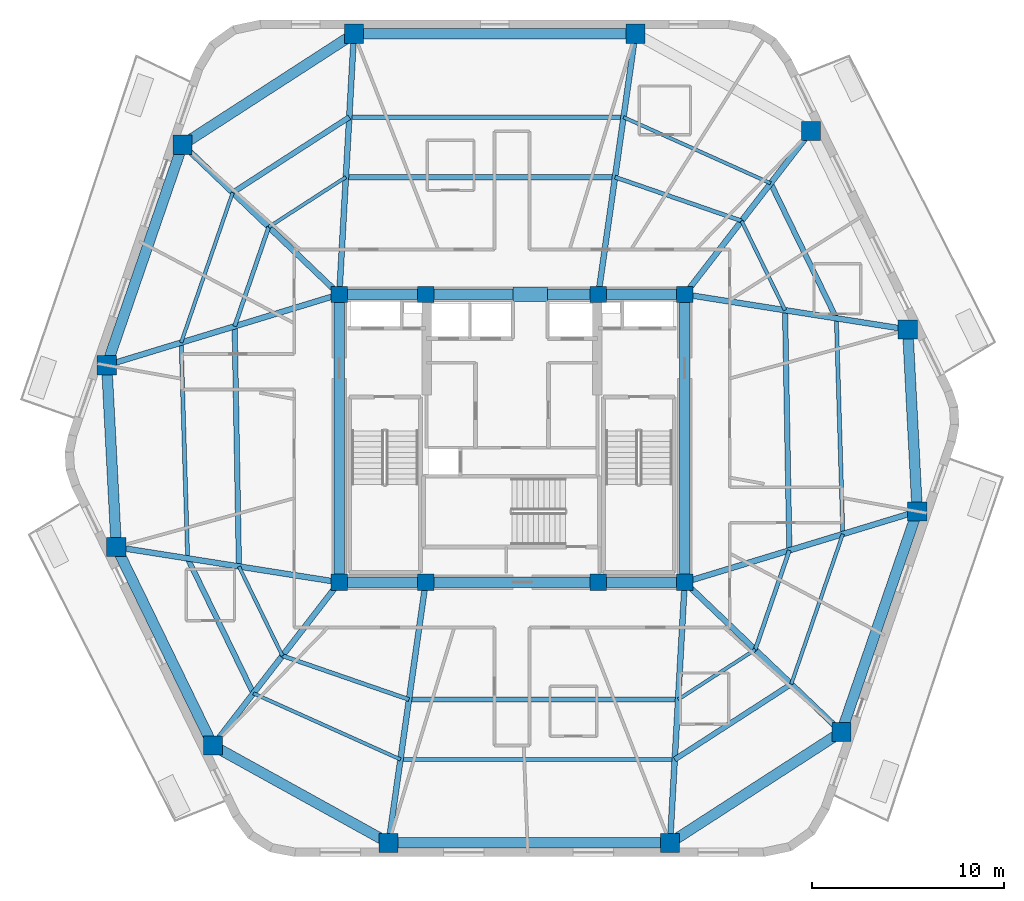
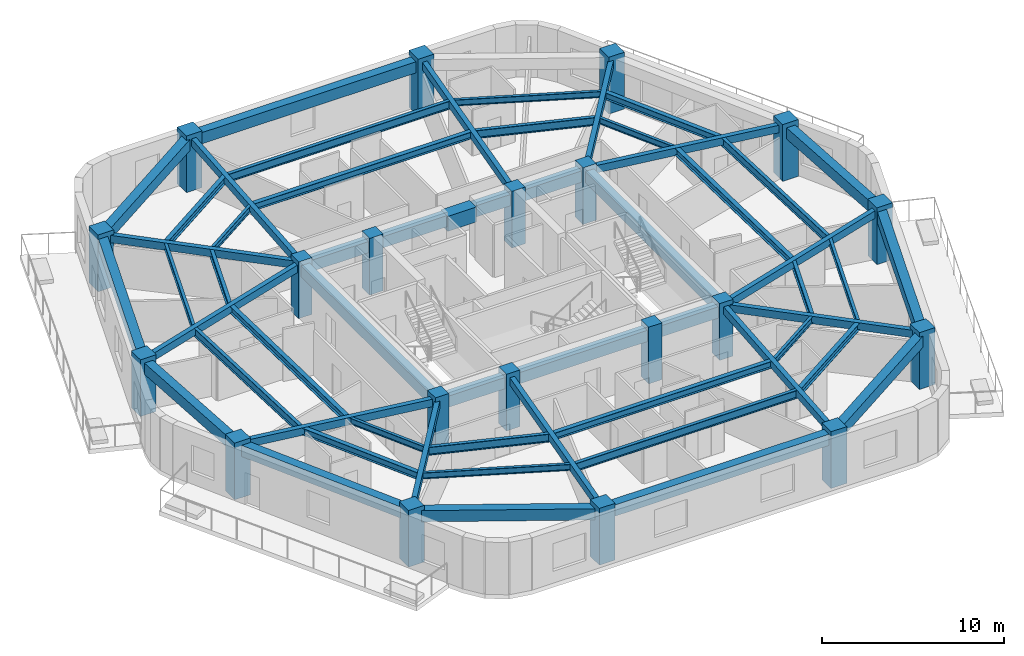
# One storey, part 1 of 9: 55 beams, 20 columns.
"""IFC4 building model written with IfcOpenShell, lengths in metres."""

import ifcopenshell
import ifcopenshell.guid

model = None  # the IFC model being written
_history = None  # IfcOwnerHistory: only IFC2X3 demands one
_inside = {}  # id of a spatial element -> (the spatial element, [elements in it])
_under = {}  # id of a project, library or spatial element -> (it, [spatial elements below it])
_declared = {}  # id of a project -> (the project, [libraries it declares])
_typed = {}  # id of a type object -> (the type object, [elements of that type])
_made_of = {}  # id of a material, layer set ... -> (it, [elements and type objects made of it])


def new_model(schema):
    """Start an empty IFC model of exactly this schema.

    Asked for "IFC4X3", IfcOpenShell would pick the latest addendum, in which some entities
    have other attributes; the version numbers below select the first issue.
    IFC2X3 requires an IfcOwnerHistory on every rooted entity: one is made here for all.
    """
    global model, _history
    if schema == "IFC4X3":
        model = ifcopenshell.file(schema_version=(4, 3, 0, 0))
    else:
        model = ifcopenshell.file(schema=schema)
    _inside.clear()
    _under.clear()
    _declared.clear()
    _typed.clear()
    _made_of.clear()
    _history = None
    if model.schema == "IFC2X3":
        org = make("IfcOrganization", Name="unknown")
        user = make(
            "IfcPersonAndOrganization",
            ThePerson=make("IfcPerson", FamilyName="unknown"),
            TheOrganization=org,
        )
        app = make(
            "IfcApplication",
            ApplicationDeveloper=org,
            Version="unknown",
            ApplicationFullName="unknown",
            ApplicationIdentifier="unknown",
        )
        _history = make(
            "IfcOwnerHistory",
            OwningUser=user,
            OwningApplication=app,
            ChangeAction="ADDED",
            CreationDate=0,
        )
    return model


def make(cls, **values):
    """One entity of the class cls with the attributes given. An attribute that is None is left unset."""
    return model.create_entity(
        cls, **{name: value for name, value in values.items() if value is not None}
    )


def rooted(cls, **values):
    """An entity with a GlobalId (a new one), such as an element, a storey or a relation."""
    return make(cls, GlobalId=ifcopenshell.guid.new(), OwnerHistory=_history, **values)


def si_unit(unit_type, name, prefix=None):
    """IfcSIUnit, for example si_unit("LENGTHUNIT", "METRE", prefix="MILLI")."""
    return make("IfcSIUnit", UnitType=unit_type, Prefix=prefix, Name=name)


def assignment(units):
    """IfcUnitAssignment: the units of a project."""
    return None if units is None else make("IfcUnitAssignment", Units=units)


def point(xyz):
    """IfcCartesianPoint."""
    return None if xyz is None else make("IfcCartesianPoint", Coordinates=xyz)


def direction(xyz):
    """IfcDirection."""
    return None if xyz is None else make("IfcDirection", DirectionRatios=xyz)


def frame(location, z_axis=None, x_axis=None):
    """IfcAxis2Placement3D, a coordinate frame: its origin and axes. An axis left out is left unset."""
    return make(
        "IfcAxis2Placement3D",
        Location=point(location),
        Axis=direction(z_axis),
        RefDirection=direction(x_axis),
    )


def frame_2d(location, x_axis=None):
    """IfcAxis2Placement2D, a coordinate frame in the plane: its origin and x axis."""
    return make(
        "IfcAxis2Placement2D", Location=point(location), RefDirection=direction(x_axis)
    )


def origin():
    """The frame at (0, 0, 0) with its axes left unset."""
    return frame((0.0, 0.0, 0.0))


def origin_2d():
    """The frame at (0, 0) in the plane with its x axis left unset."""
    return frame_2d((0.0, 0.0))


def place(relative_to, where):
    """IfcLocalPlacement: puts the frame where relative to a parent placement (None: the world)."""
    return make(
        "IfcLocalPlacement", PlacementRelTo=relative_to, RelativePlacement=where
    )


def context(
    kind, dimensions, precision=None, world=None, true_north=None, identifier=None
):
    """IfcGeometricRepresentationContext, for example the 3D "Model" context."""
    return make(
        "IfcGeometricRepresentationContext",
        ContextIdentifier=identifier,
        ContextType=kind,
        CoordinateSpaceDimension=dimensions,
        Precision=precision,
        WorldCoordinateSystem=world,
        TrueNorth=true_north,
    )


def subcontext(parent, identifier, kind, view, scale=None):
    """IfcGeometricRepresentationSubContext, for example "Body" below "Model"."""
    return make(
        "IfcGeometricRepresentationSubContext",
        ContextIdentifier=identifier,
        ContextType=kind,
        ParentContext=parent,
        TargetScale=scale,
        TargetView=view,
    )


def project(units=None, contexts=None):
    """IfcProject with its units and contexts."""
    return rooted(
        "IfcProject",
        Name="project",
        RepresentationContexts=contexts,
        UnitsInContext=assignment(units),
    )


def spatial(cls, under=None, at=None, **own):
    """A site, building, storey or space (cls), placed at a placement, below another one or the project."""
    s = rooted(cls, ObjectPlacement=at, **own)
    if under is not None:
        _under.setdefault(under.id(), (under, []))[1].append(s)
    return s


def profile(cls, at=None, kind="AREA", **sizes):
    """A parametric profile (cls). Its sizes go by their IFC names, for example OverallWidth=200.0."""
    return make(cls, ProfileType=kind, Position=at, **sizes)


def rectangle(**sizes):
    """IfcRectangleProfileDef."""
    return profile("IfcRectangleProfileDef", **sizes)


def i_section(**sizes):
    """IfcIShapeProfileDef."""
    return profile("IfcIShapeProfileDef", **sizes)


def extrude(swept, where, along, depth):
    """IfcExtrudedAreaSolid: the profile swept, set in the frame where, extruded along a direction by depth."""
    return make(
        "IfcExtrudedAreaSolid",
        SweptArea=swept,
        Position=where,
        ExtrudedDirection=direction(along),
        Depth=depth,
    )


def shape(context_of_items, identifier, shape_type, items):
    """IfcShapeRepresentation: the items that make up one representation, for example the "Body"."""
    return make(
        "IfcShapeRepresentation",
        ContextOfItems=context_of_items,
        RepresentationIdentifier=identifier,
        RepresentationType=shape_type,
        Items=items,
    )


def material(Name=None, Category=None):
    """IfcMaterial."""
    return make("IfcMaterial", Name=Name, Category=Category)


def material_profile(
    of_material, cross_section, Name=None, Category=None, Priority=None
):
    """IfcMaterialProfile: a cross section and its material."""
    return make(
        "IfcMaterialProfile",
        Name=Name,
        Material=of_material,
        Profile=cross_section,
        Priority=Priority,
        Category=Category,
    )


def profile_set(profiles, Name=None, composite=None):
    """IfcMaterialProfileSet."""
    return make(
        "IfcMaterialProfileSet",
        Name=Name,
        MaterialProfiles=profiles,
        CompositeProfile=composite,
    )


def made_of(thing, what):
    """Note that an element or type object is made of a material, layer set ...; save() writes the relation."""
    if what is not None:
        _made_of.setdefault(what.id(), (what, []))[1].append(thing)
    return thing


def type_object(cls, material=None, **own):
    """A type object (cls), such as IfcWallType, which elements share."""
    return made_of(rooted(cls, **own), material)


def element(
    cls,
    number,
    at=None,
    inside=None,
    cuts=None,
    type_object=None,
    material=None,
    context=None,
    identifier="Body",
    shape_type=None,
    held_by="IfcProductDefinitionShape",
    body=None,
    shapes=None,
    **own,
):
    """One element of the class cls, such as IfcWall. Its Tag is "e" and its number.

    at: its placement. inside: the storey or other place that contains it. cuts: it is an
    opening in that element (IfcRelVoidsElement). A single representation is given by context,
    identifier, shape_type and body (its items); several are given by shapes. held_by: the class
    of the entity that holds the representations. save() writes the other relations.
    """
    e = rooted(cls, Tag="e%d" % number, ObjectPlacement=at, **own)
    if body is not None:
        shapes = [shape(context, identifier, shape_type, body)]
    if shapes is not None:
        e.Representation = make(held_by, Representations=shapes)
    if inside is not None:
        _inside.setdefault(inside.id(), (inside, []))[1].append(e)
    if cuts is not None:
        rooted(
            "IfcRelVoidsElement", RelatingBuildingElement=cuts, RelatedOpeningElement=e
        )
    if type_object is not None:
        _typed.setdefault(type_object.id(), (type_object, []))[1].append(e)
    return made_of(e, material)


def aggregate(whole, parts):
    """IfcRelAggregates: a whole, such as a stair, and the parts it consists of."""
    return rooted("IfcRelAggregates", RelatingObject=whole, RelatedObjects=parts)


def save(model, path):
    """Write the relations noted so far, then the file.

    IfcRelAggregates (storeys below a building ...), IfcRelContainedInSpatialStructure (elements
    in a storey), IfcRelDefinesByType, IfcRelAssociatesMaterial and IfcRelDeclares: one each for
    every whole, place, type object, material and project.
    """
    for whole, parts in _under.values():
        aggregate(whole, parts)
    for where, things in _inside.values():
        rooted(
            "IfcRelContainedInSpatialStructure",
            RelatedElements=things,
            RelatingStructure=where,
        )
    for kind, things in _typed.values():
        rooted("IfcRelDefinesByType", RelatedObjects=things, RelatingType=kind)
    for what, things in _made_of.values():
        rooted("IfcRelAssociatesMaterial", RelatedObjects=things, RelatingMaterial=what)
    for by, libraries in _declared.values():
        rooted("IfcRelDeclares", RelatingContext=by, RelatedDefinitions=libraries)
    model.write(path)


model = new_model("IFC4")

# Units and contexts
model_context = context("Model", 3, precision=1e-05, world=origin(), true_north=direction((0.0, 1.0)))
body_context = subcontext(model_context, "Body", "Model", "MODEL_VIEW")
ifc_project = project(units=[si_unit("LENGTHUNIT", "METRE"), si_unit("AREAUNIT", "SQUARE_METRE"), si_unit("VOLUMEUNIT", "CUBIC_METRE"), si_unit("PLANEANGLEUNIT", "RADIAN"), si_unit("MASSUNIT", "GRAM", prefix="KILO")], contexts=[model_context])

# Site, building, storey
site_placement = place(None, origin())
site = spatial("IfcSite", under=ifc_project, at=site_placement, CompositionType="ELEMENT")
building_placement = place(site_placement, origin())
building = spatial("IfcBuilding", under=site, at=building_placement, Name="Kilnhurst Terrace Hotel", CompositionType="ELEMENT")
storey_placement = place(building_placement, frame((0.0, 0.0, 233.10009765625)))
storey = spatial("IfcBuildingStorey", under=building, at=storey_placement, Name="L58", CompositionType="ELEMENT", Elevation=233.10009765625)

# Columns
ifc_material_1 = material(Name="Concrete C60/75", Category="concrete")
ifc_material_profile_1 = material_profile(ifc_material_1, rectangle(XDim=1.0, YDim=1.0, at=origin_2d()), Name="RC1000X1000")
ifc_profile_set_1 = profile_set([ifc_material_profile_1], Name="Concrete C60/75")
column_type_1 = type_object("IfcColumnType", Name="COL-RC-1000", PredefinedType="COLUMN", material=ifc_profile_set_1)
for number, where, z_axis, x_axis, name in (
    (1, (-6.429931640625, -21.080078125, 0.0), (0.0, 0.0, 1.0), (1.0, 0.0, 0.0), "L58 Structural Column PC-F11"),
    (2, (8.236083984375, -21.080078125, 0.0), (0.0, 0.0, 1.0), (1.0, 0.0, 0.0), "L58 Structural Column PC-F12"),
    (3, (17.166015625, -15.303955078125, 0.0), (0.0, 0.0, 1.0), (1.0, 0.0, 0.0), "L58 Structural Column PC-F21"),
    (4, (21.117919921875, -3.806884765625, 0.0), (0.0, 0.0, 1.0), (1.0, 0.0, 0.0), "L58 Structural Column PC-F22"),
    (5, (20.6220703125, 5.669921875, 0.0), (0.0, 0.0, 1.0), (1.0, 0.0, 0.0), "L58 Structural Column PC-F31"),
    (6, (15.5869140625, 16.012939453125, 0.0), (0.0, 0.0, 1.0), (1.0, 0.0, 0.0), "L58 Structural Column PC-F32"),
    (7, (6.429931640625, 21.080078125, 0.0), (0.0, 0.0, 1.0), (1.0, 0.0, 0.0), "L58 Structural Column PC-F41"),
    (8, (-8.236083984375, 21.080078125, 0.0), (0.0, 0.0, 1.0), (1.0, 0.0, 0.0), "L58 Structural Column PC-F42"),
    (9, (-17.166015625, 15.303955078125, 0.0), (0.0, 0.0, 1.0), (1.0, 0.0, 0.0), "L58 Structural Column PC-F51"),
    (10, (-21.117919921875, 3.806884765625, 0.0), (0.0, 0.0, 1.0), (1.0, 0.0, 0.0), "L58 Structural Column PC-F52"),
    (11, (-20.6220703125, -5.669921875, 0.0), (0.0, 0.0, 1.0), (1.0, 0.0, 0.0), "L58 Structural Column PC-F61"),
    (12, (-15.5869140625, -16.012939453125, 0.0), (0.0, 0.0, 1.0), (1.0, 0.0, 0.0), "L58 Structural Column PC-F62"),
):
    element("IfcColumn", number, at=place(storey_placement, frame(where, z_axis=z_axis, x_axis=x_axis)), inside=storey, type_object=column_type_1, Name=name, PredefinedType="COLUMN", context=body_context, shape_type="SweptSolid", body=[
        extrude(rectangle(XDim=1.0, YDim=1.0, at=origin_2d()), origin(), (0.0, 0.0, 1.0), 3.7998046875),
    ])
ifc_material_profile_2 = material_profile(ifc_material_1, rectangle(XDim=0.85009765625, YDim=0.85009765625, at=origin_2d()), Name="RC850X850")
ifc_profile_set_2 = profile_set([ifc_material_profile_2], Name="Concrete C60/75")
column_type_2 = type_object("IfcColumnType", Name="COL-RC-850", PredefinedType="COLUMN", material=ifc_profile_set_2)
for number, where, z_axis, x_axis, name in (
    (13, (-9.0, -7.5, 0.0), (0.0, 0.0, 1.0), (1.0, 0.0, 0.0), "L58 Structural Column CC-SW"),
    (14, (-4.5, -7.5, 0.0), (0.0, 0.0, 1.0), (1.0, 0.0, 0.0), "L58 Structural Column CC-SC1"),
    (15, (4.5, -7.5, 0.0), (0.0, 0.0, 1.0), (1.0, 0.0, 0.0), "L58 Structural Column CC-SC2"),
    (16, (9.0, -7.5, 0.0), (0.0, 0.0, 1.0), (1.0, 0.0, 0.0), "L58 Structural Column CC-SE"),
    (17, (9.0, 7.5, 0.0), (0.0, 0.0, 1.0), (1.0, 0.0, 0.0), "L58 Structural Column CC-NE"),
    (18, (4.5, 7.5, 0.0), (0.0, 0.0, 1.0), (1.0, 0.0, 0.0), "L58 Structural Column CC-NC2"),
    (19, (-4.5, 7.5, 0.0), (0.0, 0.0, 1.0), (1.0, 0.0, 0.0), "L58 Structural Column CC-NC1"),
    (20, (-9.0, 7.5, 0.0), (0.0, 0.0, 1.0), (1.0, 0.0, 0.0), "L58 Structural Column CC-NW"),
):
    element("IfcColumn", number, at=place(storey_placement, frame(where, z_axis=z_axis, x_axis=x_axis)), inside=storey, type_object=column_type_2, Name=name, PredefinedType="COLUMN", context=body_context, shape_type="SweptSolid", body=[
        extrude(rectangle(XDim=0.85009765625, YDim=0.85009765625, at=origin_2d()), origin(), (0.0, 0.0, 1.0), 3.7998046875),
    ])

# Beams
ifc_material_2 = material(Name="Concrete C50/60", Category="concrete")
ifc_material_profile_3 = material_profile(ifc_material_2, rectangle(XDim=0.300048828125, YDim=0.5, at=origin_2d()), Name="RC300X500")
ifc_profile_set_3 = profile_set([ifc_material_profile_3], Name="Concrete C50/60")
beam_type_1 = type_object("IfcBeamType", Name="BM-RAD-300X500", PredefinedType="BEAM", material=ifc_profile_set_3)
beam_1_placement = place(storey_placement, frame((-4.5, -7.5, 3.25), z_axis=(-0.140701170889, -0.990052109997, 0.0), x_axis=(0.990052109997, -0.140701170889, 0.0)))
element("IfcBeam", 21, at=beam_1_placement, inside=storey, type_object=beam_type_1, Name="L58 Radial Floor Beam 1", PredefinedType="BEAM", context=body_context, shape_type="SweptSolid", body=[
    extrude(rectangle(XDim=0.300048828125, YDim=0.5, at=origin_2d()), origin(), (0.0, 0.0, 1.0), 13.716552734375),
])
beam_2_placement = place(storey_placement, frame((9.0, -7.5, 3.25), z_axis=(-0.056163905291, -0.998421562138, 0.0), x_axis=(0.998421562138, -0.056163905291, 0.0)))
element("IfcBeam", 22, at=beam_2_placement, inside=storey, type_object=beam_type_1, Name="L58 Radial Floor Beam 2", PredefinedType="BEAM", context=body_context, shape_type="SweptSolid", body=[
    extrude(rectangle(XDim=0.300048828125, YDim=0.5, at=origin_2d()), origin(), (0.0, 0.0, 1.0), 13.6015625),
])
beam_3_placement = place(storey_placement, frame((9.0, -7.5, 3.25), z_axis=(0.722952064528, -0.690898192497, 0.0), x_axis=(0.690898192497, 0.722952064528, 0.0)))
element("IfcBeam", 23, at=beam_3_placement, inside=storey, type_object=beam_type_1, Name="L58 Radial Floor Beam 3", PredefinedType="BEAM", context=body_context, shape_type="SweptSolid", body=[
    extrude(rectangle(XDim=0.300048828125, YDim=0.5, at=origin_2d()), origin(), (0.0, 0.0, 1.0), 11.29541015625),
])
beam_4_placement = place(storey_placement, frame((9.0, -7.5, 3.25), z_axis=(0.956562713724, 0.291526627793, 0.0), x_axis=(-0.291526627793, 0.956562713724, 0.0)))
element("IfcBeam", 24, at=beam_4_placement, inside=storey, type_object=beam_type_1, Name="L58 Radial Floor Beam 4", PredefinedType="BEAM", context=body_context, shape_type="SweptSolid", body=[
    extrude(rectangle(XDim=0.300048828125, YDim=0.5, at=origin_2d()), origin(), (0.0, 0.0, 1.0), 12.668212890625),
])
beam_5_placement = place(storey_placement, frame((9.0, 7.5, 3.25), z_axis=(0.987828160163, -0.155549111179, 0.0), x_axis=(0.155549111179, 0.987828160163, 0.0)))
element("IfcBeam", 25, at=beam_5_placement, inside=storey, type_object=beam_type_1, Name="L58 Radial Floor Beam 5", PredefinedType="BEAM", context=body_context, shape_type="SweptSolid", body=[
    extrude(rectangle(XDim=0.300048828125, YDim=0.5, at=origin_2d()), origin(), (0.0, 0.0, 1.0), 11.765380859375),
])
beam_6_placement = place(storey_placement, frame((9.0, 7.5, 3.25), z_axis=(0.611955412533, 0.790892263884, 0.0), x_axis=(-0.790892263884, 0.611955412533, 0.0)))
element("IfcBeam", 26, at=beam_6_placement, inside=storey, type_object=beam_type_1, Name="L58 Radial Floor Beam 6", PredefinedType="BEAM", context=body_context, shape_type="SweptSolid", body=[
    extrude(rectangle(XDim=0.300048828125, YDim=0.5, at=origin_2d()), origin(), (0.0, 0.0, 1.0), 10.763671875),
])
beam_7_placement = place(storey_placement, frame((4.5, 7.5, 3.25), z_axis=(0.140701170889, 0.990052109997, 0.0), x_axis=(-0.990052109997, 0.140701170889, 0.0)))
element("IfcBeam", 27, at=beam_7_placement, inside=storey, type_object=beam_type_1, Name="L58 Radial Floor Beam 7", PredefinedType="BEAM", context=body_context, shape_type="SweptSolid", body=[
    extrude(rectangle(XDim=0.300048828125, YDim=0.5, at=origin_2d()), origin(), (0.0, 0.0, 1.0), 13.716552734375),
])
beam_8_placement = place(storey_placement, frame((-9.0, 7.5, 3.25), z_axis=(0.056163905291, 0.998421562138, 0.0), x_axis=(-0.998421562138, 0.056163905291, 0.0)))
element("IfcBeam", 28, at=beam_8_placement, inside=storey, type_object=beam_type_1, Name="L58 Radial Floor Beam 8", PredefinedType="BEAM", context=body_context, shape_type="SweptSolid", body=[
    extrude(rectangle(XDim=0.300048828125, YDim=0.5, at=origin_2d()), origin(), (0.0, 0.0, 1.0), 13.6015625),
])
beam_9_placement = place(storey_placement, frame((-9.0, 7.5, 3.25), z_axis=(-0.722952064528, 0.690898192497, 0.0), x_axis=(-0.690898192497, -0.722952064528, 0.0)))
element("IfcBeam", 29, at=beam_9_placement, inside=storey, type_object=beam_type_1, Name="L58 Radial Floor Beam 9", PredefinedType="BEAM", context=body_context, shape_type="SweptSolid", body=[
    extrude(rectangle(XDim=0.300048828125, YDim=0.5, at=origin_2d()), origin(), (0.0, 0.0, 1.0), 11.29541015625),
])
beam_10_placement = place(storey_placement, frame((-9.0, 7.5, 3.25), z_axis=(-0.956562713724, -0.291526627793, 0.0), x_axis=(0.291526627793, -0.956562713724, 0.0)))
element("IfcBeam", 30, at=beam_10_placement, inside=storey, type_object=beam_type_1, Name="L58 Radial Floor Beam 10", PredefinedType="BEAM", context=body_context, shape_type="SweptSolid", body=[
    extrude(rectangle(XDim=0.300048828125, YDim=0.5, at=origin_2d()), origin(), (0.0, 0.0, 1.0), 12.668212890625),
])
beam_11_placement = place(storey_placement, frame((-9.0, -7.5, 3.25), z_axis=(-0.987828160163, 0.155549111179, 0.0), x_axis=(-0.155549111179, -0.987828160163, 0.0)))
element("IfcBeam", 31, at=beam_11_placement, inside=storey, type_object=beam_type_1, Name="L58 Radial Floor Beam 11", PredefinedType="BEAM", context=body_context, shape_type="SweptSolid", body=[
    extrude(rectangle(XDim=0.300048828125, YDim=0.5, at=origin_2d()), origin(), (0.0, 0.0, 1.0), 11.765380859375),
])
beam_12_placement = place(storey_placement, frame((-9.0, -7.5, 3.25), z_axis=(-0.611955412533, -0.790892263884, 0.0), x_axis=(0.790892263884, -0.611955412533, 0.0)))
element("IfcBeam", 32, at=beam_12_placement, inside=storey, type_object=beam_type_1, Name="L58 Radial Floor Beam 12", PredefinedType="BEAM", context=body_context, shape_type="SweptSolid", body=[
    extrude(rectangle(XDim=0.300048828125, YDim=0.5, at=origin_2d()), origin(), (0.0, 0.0, 1.0), 10.763671875),
])
ifc_material_profile_4 = material_profile(ifc_material_2, rectangle(XDim=0.550048828125, YDim=0.75, at=origin_2d()), Name="RC550X750")
ifc_profile_set_4 = profile_set([ifc_material_profile_4], Name="Concrete C50/60")
beam_type_2 = type_object("IfcBeamType", Name="BM-SPN-550X750", PredefinedType="SPANDREL", material=ifc_profile_set_4)
beam_13_placement = place(storey_placement, frame((-9.0, 7.5, 3.125), z_axis=(1.0, 0.0, 0.0), x_axis=(0.0, 1.0, 0.0)))
element("IfcBeam", 33, at=beam_13_placement, inside=storey, type_object=beam_type_2, Name="L58 Core Tie Beam CC-NW to CC-NC1", PredefinedType="SPANDREL", context=body_context, shape_type="SweptSolid", body=[
    extrude(rectangle(XDim=0.550048828125, YDim=0.75, at=origin_2d()), origin(), (0.0, 0.0, 1.0), 4.5),
])
beam_14_placement = place(storey_placement, frame((-4.5, 7.5, 3.125), z_axis=(1.0, 0.0, 0.0), x_axis=(0.0, 1.0, 0.0)))
element("IfcBeam", 34, at=beam_14_placement, inside=storey, type_object=beam_type_2, Name="L58 Core Tie Beam CC-NC1 to CC-NC2", PredefinedType="SPANDREL", context=body_context, shape_type="SweptSolid", body=[
    extrude(rectangle(XDim=0.550048828125, YDim=0.75, at=origin_2d()), origin(), (0.0, 0.0, 1.0), 9.0),
])
for number, where, z_axis, x_axis, name in (
    (35, (4.5, 7.5, 3.125), (1.0, 0.0, 0.0), (0.0, 1.0, 0.0), "L58 Core Tie Beam CC-NC2 to CC-NE"),
    (36, (-9.0, -7.5, 3.125), (1.0, 0.0, 0.0), (0.0, 1.0, 0.0), "L58 Core Tie Beam CC-SW to CC-SC1"),
):
    element("IfcBeam", number, at=place(storey_placement, frame(where, z_axis=z_axis, x_axis=x_axis)), inside=storey, type_object=beam_type_2, Name=name, PredefinedType="SPANDREL", context=body_context, shape_type="SweptSolid", body=[
        extrude(rectangle(XDim=0.550048828125, YDim=0.75, at=origin_2d()), origin(), (0.0, 0.0, 1.0), 4.5),
    ])
beam_15_placement = place(storey_placement, frame((-4.5, -7.5, 3.125), z_axis=(1.0, 0.0, 0.0), x_axis=(0.0, 1.0, 0.0)))
element("IfcBeam", 37, at=beam_15_placement, inside=storey, type_object=beam_type_2, Name="L58 Core Tie Beam CC-SC1 to CC-SC2", PredefinedType="SPANDREL", context=body_context, shape_type="SweptSolid", body=[
    extrude(rectangle(XDim=0.550048828125, YDim=0.75, at=origin_2d()), origin(), (0.0, 0.0, 1.0), 9.0),
])
beam_16_placement = place(storey_placement, frame((4.5, -7.5, 3.125), z_axis=(1.0, 0.0, 0.0), x_axis=(0.0, 1.0, 0.0)))
element("IfcBeam", 38, at=beam_16_placement, inside=storey, type_object=beam_type_2, Name="L58 Core Tie Beam CC-SC2 to CC-SE", PredefinedType="SPANDREL", context=body_context, shape_type="SweptSolid", body=[
    extrude(rectangle(XDim=0.550048828125, YDim=0.75, at=origin_2d()), origin(), (0.0, 0.0, 1.0), 4.5),
])
for number, where, z_axis, x_axis, name in (
    (39, (-9.0, -7.5, 3.125), (0.0, 1.0, 0.0), (-1.0, 0.0, 0.0), "L58 Core Tie Beam CC-SW to CC-NW"),
    (40, (9.0, -7.5, 3.125), (0.0, 1.0, 0.0), (-1.0, 0.0, 0.0), "L58 Core Tie Beam CC-SE to CC-NE"),
):
    element("IfcBeam", number, at=place(storey_placement, frame(where, z_axis=z_axis, x_axis=x_axis)), inside=storey, type_object=beam_type_2, Name=name, PredefinedType="SPANDREL", context=body_context, shape_type="SweptSolid", body=[
        extrude(rectangle(XDim=0.550048828125, YDim=0.75, at=origin_2d()), origin(), (0.0, 0.0, 1.0), 15.0),
    ])
beam_17_placement = place(storey_placement, frame((-6.429931640625, -21.080078125, 3.125), z_axis=(1.0, 0.0, 0.0), x_axis=(0.0, 1.0, 0.0)))
element("IfcBeam", 41, at=beam_17_placement, inside=storey, type_object=beam_type_2, Name="L58 Perimeter Spandrel Beam 1", PredefinedType="SPANDREL", context=body_context, shape_type="SweptSolid", body=[
    extrude(rectangle(XDim=0.550048828125, YDim=0.75, at=origin_2d()), origin(), (0.0, 0.0, 1.0), 14.666015625),
])
beam_18_placement = place(storey_placement, frame((8.236083984375, -21.080078125, 3.125), z_axis=(0.839658834217, 0.543114207254, 0.0), x_axis=(-0.543114207254, 0.839658834217, 0.0)))
element("IfcBeam", 42, at=beam_18_placement, inside=storey, type_object=beam_type_2, Name="L58 Perimeter Spandrel Beam 2", PredefinedType="SPANDREL", context=body_context, shape_type="SweptSolid", body=[
    extrude(rectangle(XDim=0.550048828125, YDim=0.75, at=origin_2d()), origin(), (0.0, 0.0, 1.0), 10.63525390625),
])
beam_19_placement = place(storey_placement, frame((17.166015625, -15.303955078125, 3.125), z_axis=(0.325064053802, 0.94569200109, 0.0), x_axis=(-0.94569200109, 0.325064053802, 0.0)))
element("IfcBeam", 43, at=beam_19_placement, inside=storey, type_object=beam_type_2, Name="L58 Perimeter Spandrel Beam 3", PredefinedType="SPANDREL", context=body_context, shape_type="SweptSolid", body=[
    extrude(rectangle(XDim=0.550048828125, YDim=0.75, at=origin_2d()), origin(), (0.0, 0.0, 1.0), 12.1572265625),
])
beam_20_placement = place(storey_placement, frame((21.117919921875, -3.806884765625, 3.125), z_axis=(-0.052250962837, 0.998633985443, 0.0), x_axis=(-0.998633985443, -0.052250962837, 0.0)))
element("IfcBeam", 44, at=beam_20_placement, inside=storey, type_object=beam_type_2, Name="L58 Perimeter Spandrel Beam 4", PredefinedType="SPANDREL", context=body_context, shape_type="SweptSolid", body=[
    extrude(rectangle(XDim=0.550048828125, YDim=0.75, at=origin_2d()), origin(), (0.0, 0.0, 1.0), 9.48974609375),
])
beam_21_placement = place(storey_placement, frame((6.429931640625, 21.080078125, 3.125), z_axis=(-1.0, 0.0, 0.0), x_axis=(0.0, -1.0, 0.0)))
element("IfcBeam", 45, at=beam_21_placement, inside=storey, type_object=beam_type_2, Name="L58 Perimeter Spandrel Beam 7", PredefinedType="SPANDREL", context=body_context, shape_type="SweptSolid", body=[
    extrude(rectangle(XDim=0.550048828125, YDim=0.75, at=origin_2d()), origin(), (0.0, 0.0, 1.0), 14.666015625),
])
beam_22_placement = place(storey_placement, frame((-8.236083984375, 21.080078125, 3.125), z_axis=(-0.839658834217, -0.543114207254, 0.0), x_axis=(0.543114207254, -0.839658834217, 0.0)))
element("IfcBeam", 46, at=beam_22_placement, inside=storey, type_object=beam_type_2, Name="L58 Perimeter Spandrel Beam 8", PredefinedType="SPANDREL", context=body_context, shape_type="SweptSolid", body=[
    extrude(rectangle(XDim=0.550048828125, YDim=0.75, at=origin_2d()), origin(), (0.0, 0.0, 1.0), 10.63525390625),
])
beam_23_placement = place(storey_placement, frame((-17.166015625, 15.303955078125, 3.125), z_axis=(-0.325064053802, -0.94569200109, 0.0), x_axis=(0.94569200109, -0.325064053802, 0.0)))
element("IfcBeam", 47, at=beam_23_placement, inside=storey, type_object=beam_type_2, Name="L58 Perimeter Spandrel Beam 9", PredefinedType="SPANDREL", context=body_context, shape_type="SweptSolid", body=[
    extrude(rectangle(XDim=0.550048828125, YDim=0.75, at=origin_2d()), origin(), (0.0, 0.0, 1.0), 12.1572265625),
])
beam_24_placement = place(storey_placement, frame((-21.117919921875, 3.806884765625, 3.125), z_axis=(0.052250962837, -0.998633985443, 0.0), x_axis=(0.998633985443, 0.052250962837, 0.0)))
element("IfcBeam", 48, at=beam_24_placement, inside=storey, type_object=beam_type_2, Name="L58 Perimeter Spandrel Beam 10", PredefinedType="SPANDREL", context=body_context, shape_type="SweptSolid", body=[
    extrude(rectangle(XDim=0.550048828125, YDim=0.75, at=origin_2d()), origin(), (0.0, 0.0, 1.0), 9.48974609375),
])
beam_25_placement = place(storey_placement, frame((-20.6220703125, -5.669921875, 3.125), z_axis=(0.437705964683, -0.899118172701, 0.0), x_axis=(0.899118172701, 0.437705964683, 0.0)))
element("IfcBeam", 49, at=beam_25_placement, inside=storey, type_object=beam_type_2, Name="L58 Perimeter Spandrel Beam 11", PredefinedType="SPANDREL", context=body_context, shape_type="SweptSolid", body=[
    extrude(rectangle(XDim=0.550048828125, YDim=0.75, at=origin_2d()), origin(), (0.0, 0.0, 1.0), 11.50341796875),
])
beam_26_placement = place(storey_placement, frame((-15.5869140625, -16.012939453125, 3.125), z_axis=(0.874970333121, -0.484176534085, 0.0), x_axis=(0.484176534085, 0.874970333121, 0.0)))
element("IfcBeam", 50, at=beam_26_placement, inside=storey, type_object=beam_type_2, Name="L58 Perimeter Spandrel Beam 12", PredefinedType="SPANDREL", context=body_context, shape_type="SweptSolid", body=[
    extrude(rectangle(XDim=0.550048828125, YDim=0.75, at=origin_2d()), origin(), (0.0, 0.0, 1.0), 10.465576171875),
])
ifc_material_3 = material(Name="Steel ASTM A992 Grade 50", Category="steel")
ifc_material_profile_5 = material_profile(ifc_material_3, i_section(OverallWidth=0.180908203125, OverallDepth=0.417236328125, WebThickness=0.010986328125, FlangeThickness=0.018310546875, at=origin_2d()), Name="W16X57")
ifc_profile_set_5 = profile_set([ifc_material_profile_5], Name="Steel ASTM A992 Grade 50")
beam_type_3 = type_object("IfcBeamType", Name="JST-STL-W16X57", PredefinedType="JOIST", material=ifc_profile_set_5)
beam_27_placement = place(storey_placement, frame((14.552978515625, -12.806640625, 3.291015625), z_axis=(0.325064911916, 0.945691706129, 0.0), x_axis=(-0.945691706129, 0.325064911916, 0.0)))
element("IfcBeam", 51, at=beam_27_placement, inside=storey, type_object=beam_type_3, Name="L58 Secondary Floor Steel Joist OUT.3", PredefinedType="JOIST", context=body_context, shape_type="SweptSolid", body=[
    extrude(i_section(OverallWidth=0.180908203125, OverallDepth=0.417236328125, WebThickness=0.010986328125, FlangeThickness=0.018310546875, at=origin_2d()), origin(), (0.0, 0.0, 1.0), 8.266845703125),
])
beam_28_placement = place(storey_placement, frame((13.479248046875, 13.288818359375, 3.291015625), z_axis=(-0.912120852375, 0.409921395713, 0.0), x_axis=(-0.409921395713, -0.912120852375, 0.0)))
element("IfcBeam", 52, at=beam_28_placement, inside=storey, type_object=beam_type_3, Name="L58 Secondary Floor Steel Joist OUT.6", PredefinedType="JOIST", context=body_context, shape_type="SweptSolid", body=[
    extrude(i_section(OverallWidth=0.180908203125, OverallDepth=0.417236328125, WebThickness=0.010986328125, FlangeThickness=0.018310546875, at=origin_2d()), origin(), (0.0, 0.0, 1.0), 8.405517578125),
])
beam_29_placement = place(storey_placement, frame((-14.552978515625, 12.806640625, 3.291015625), z_axis=(-0.325064911916, -0.945691706129, 0.0), x_axis=(0.945691706129, -0.325064911916, 0.0)))
element("IfcBeam", 53, at=beam_29_placement, inside=storey, type_object=beam_type_3, Name="L58 Secondary Floor Steel Joist OUT.9", PredefinedType="JOIST", context=body_context, shape_type="SweptSolid", body=[
    extrude(i_section(OverallWidth=0.180908203125, OverallDepth=0.417236328125, WebThickness=0.010986328125, FlangeThickness=0.018310546875, at=origin_2d()), origin(), (0.0, 0.0, 1.0), 8.266845703125),
])
beam_30_placement = place(storey_placement, frame((-13.479248046875, -13.288818359375, 3.291015625), z_axis=(0.912120852375, -0.409921395713, 0.0), x_axis=(0.409921395713, 0.912120852375, 0.0)))
element("IfcBeam", 54, at=beam_30_placement, inside=storey, type_object=beam_type_3, Name="L58 Secondary Floor Steel Joist OUT.12", PredefinedType="JOIST", context=body_context, shape_type="SweptSolid", body=[
    extrude(i_section(OverallWidth=0.180908203125, OverallDepth=0.417236328125, WebThickness=0.010986328125, FlangeThickness=0.018310546875, at=origin_2d()), origin(), (0.0, 0.0, 1.0), 8.405517578125),
])
beam_31_placement = place(storey_placement, frame((8.65625, -13.611083984375, 3.291015625), z_axis=(0.839653632344, 0.543122249306, 0.0), x_axis=(-0.543122249306, 0.839653632344, 0.0)))
element("IfcBeam", 55, at=beam_31_placement, inside=storey, type_object=beam_type_3, Name="L58 Secondary Floor Steel Joist IN.2", PredefinedType="JOIST", context=body_context, shape_type="SweptSolid", body=[
    extrude(i_section(OverallWidth=0.180908203125, OverallDepth=0.417236328125, WebThickness=0.010986328125, FlangeThickness=0.018310546875, at=origin_2d()), origin(), (0.0, 0.0, 1.0), 4.785888671875),
])
beam_32_placement = place(storey_placement, frame((14.22998046875, 6.676513671875, 3.291015625), z_axis=(-0.437718230281, 0.899112201496, 0.0), x_axis=(-0.899112201496, -0.437718230281, 0.0)))
element("IfcBeam", 56, at=beam_32_placement, inside=storey, type_object=beam_type_3, Name="L58 Secondary Floor Steel Joist IN.5", PredefinedType="JOIST", context=body_context, shape_type="SweptSolid", body=[
    extrude(i_section(OverallWidth=0.180908203125, OverallDepth=0.417236328125, WebThickness=0.010986328125, FlangeThickness=0.018310546875, at=origin_2d()), origin(), (0.0, 0.0, 1.0), 5.176513671875),
])
beam_33_placement = place(storey_placement, frame((-8.65625, 13.611083984375, 3.291015625), z_axis=(-0.839653632344, -0.543122249306, 0.0), x_axis=(0.543122249306, -0.839653632344, 0.0)))
element("IfcBeam", 57, at=beam_33_placement, inside=storey, type_object=beam_type_3, Name="L58 Secondary Floor Steel Joist IN.8", PredefinedType="JOIST", context=body_context, shape_type="SweptSolid", body=[
    extrude(i_section(OverallWidth=0.180908203125, OverallDepth=0.417236328125, WebThickness=0.010986328125, FlangeThickness=0.018310546875, at=origin_2d()), origin(), (0.0, 0.0, 1.0), 4.785888671875),
])
beam_34_placement = place(storey_placement, frame((-14.22998046875, -6.676513671875, 3.291015625), z_axis=(0.437718230281, -0.899112201496, 0.0), x_axis=(0.899112201496, 0.437718230281, 0.0)))
element("IfcBeam", 58, at=beam_34_placement, inside=storey, type_object=beam_type_3, Name="L58 Secondary Floor Steel Joist IN.11", PredefinedType="JOIST", context=body_context, shape_type="SweptSolid", body=[
    extrude(i_section(OverallWidth=0.180908203125, OverallDepth=0.417236328125, WebThickness=0.010986328125, FlangeThickness=0.018310546875, at=origin_2d()), origin(), (0.0, 0.0, 1.0), 5.176513671875),
])
ifc_material_profile_6 = material_profile(ifc_material_3, i_section(OverallWidth=0.279296875, OverallDepth=0.462890625, WebThickness=0.0107421875, FlangeThickness=0.017333984375, at=origin_2d()), Name="W18X76")
ifc_profile_set_6 = profile_set([ifc_material_profile_6], Name="Steel ASTM A992 Grade 50")
beam_type_4 = type_object("IfcBeamType", Name="JST-STL-W18X76", PredefinedType="JOIST", material=ifc_profile_set_6)
beam_35_placement = place(storey_placement, frame((8.48046875, -16.734375, 3.267822265625), z_axis=(0.839667054453, 0.543101498494, 0.0), x_axis=(-0.543101498494, 0.839667054453, 0.0)))
element("IfcBeam", 59, at=beam_35_placement, inside=storey, type_object=beam_type_4, Name="L58 Secondary Floor Steel Joist OUT.2", PredefinedType="JOIST", context=body_context, shape_type="SweptSolid", body=[
    extrude(i_section(OverallWidth=0.279296875, OverallDepth=0.462890625, WebThickness=0.0107421875, FlangeThickness=0.017333984375, at=origin_2d()), origin(), (0.0, 0.0, 1.0), 7.23193359375),
])
beam_36_placement = place(storey_placement, frame((16.903076171875, 6.255615234375, 3.267822265625), z_axis=(-0.437700347277, 0.899120907328, 0.0), x_axis=(-0.899120907328, -0.437700347277, 0.0)))
element("IfcBeam", 60, at=beam_36_placement, inside=storey, type_object=beam_type_4, Name="L58 Secondary Floor Steel Joist OUT.5", PredefinedType="JOIST", context=body_context, shape_type="SweptSolid", body=[
    extrude(i_section(OverallWidth=0.279296875, OverallDepth=0.462890625, WebThickness=0.0107421875, FlangeThickness=0.017333984375, at=origin_2d()), origin(), (0.0, 0.0, 1.0), 7.822265625),
])
beam_37_placement = place(storey_placement, frame((-8.48046875, 16.734375, 3.267822265625), z_axis=(-0.839667054453, -0.543101498494, 0.0), x_axis=(0.543101498494, -0.839667054453, 0.0)))
element("IfcBeam", 61, at=beam_37_placement, inside=storey, type_object=beam_type_4, Name="L58 Secondary Floor Steel Joist OUT.8", PredefinedType="JOIST", context=body_context, shape_type="SweptSolid", body=[
    extrude(i_section(OverallWidth=0.279296875, OverallDepth=0.462890625, WebThickness=0.0107421875, FlangeThickness=0.017333984375, at=origin_2d()), origin(), (0.0, 0.0, 1.0), 7.23193359375),
])
beam_38_placement = place(storey_placement, frame((-16.903076171875, -6.255615234375, 3.267822265625), z_axis=(0.437700347277, -0.899120907328, 0.0), x_axis=(0.899120907328, 0.437700347277, 0.0)))
element("IfcBeam", 62, at=beam_38_placement, inside=storey, type_object=beam_type_4, Name="L58 Secondary Floor Steel Joist OUT.11", PredefinedType="JOIST", context=body_context, shape_type="SweptSolid", body=[
    extrude(i_section(OverallWidth=0.279296875, OverallDepth=0.462890625, WebThickness=0.0107421875, FlangeThickness=0.017333984375, at=origin_2d()), origin(), (0.0, 0.0, 1.0), 7.822265625),
])
beam_39_placement = place(storey_placement, frame((-5.368408203125, -13.611083984375, 3.267822265625), z_axis=(1.0, 0.0, 0.0), x_axis=(0.0, 1.0, 0.0)))
element("IfcBeam", 63, at=beam_39_placement, inside=storey, type_object=beam_type_4, Name="L58 Secondary Floor Steel Joist IN.1", PredefinedType="JOIST", context=body_context, shape_type="SweptSolid", body=[
    extrude(i_section(OverallWidth=0.279296875, OverallDepth=0.462890625, WebThickness=0.0107421875, FlangeThickness=0.017333984375, at=origin_2d()), origin(), (0.0, 0.0, 1.0), 14.024658203125),
])
beam_40_placement = place(storey_placement, frame((14.453125, -5.838134765625, 3.267822265625), z_axis=(-0.017827833387, 0.999841071549, 0.0), x_axis=(-0.999841071549, -0.017827833387, 0.0)))
element("IfcBeam", 64, at=beam_40_placement, inside=storey, type_object=beam_type_4, Name="L58 Secondary Floor Steel Joist IN.4", PredefinedType="JOIST", context=body_context, shape_type="SweptSolid", body=[
    extrude(i_section(OverallWidth=0.279296875, OverallDepth=0.462890625, WebThickness=0.0107421875, FlangeThickness=0.017333984375, at=origin_2d()), origin(), (0.0, 0.0, 1.0), 12.5166015625),
])
beam_41_placement = place(storey_placement, frame((5.368408203125, 13.611083984375, 3.267822265625), z_axis=(-1.0, 0.0, 0.0), x_axis=(0.0, -1.0, 0.0)))
element("IfcBeam", 65, at=beam_41_placement, inside=storey, type_object=beam_type_4, Name="L58 Secondary Floor Steel Joist IN.7", PredefinedType="JOIST", context=body_context, shape_type="SweptSolid", body=[
    extrude(i_section(OverallWidth=0.279296875, OverallDepth=0.462890625, WebThickness=0.0107421875, FlangeThickness=0.017333984375, at=origin_2d()), origin(), (0.0, 0.0, 1.0), 14.024658203125),
])
beam_42_placement = place(storey_placement, frame((-14.453125, 5.838134765625, 3.267822265625), z_axis=(0.017827833387, -0.999841071549, 0.0), x_axis=(0.999841071549, 0.017827833387, 0.0)))
element("IfcBeam", 66, at=beam_42_placement, inside=storey, type_object=beam_type_4, Name="L58 Secondary Floor Steel Joist IN.10", PredefinedType="JOIST", context=body_context, shape_type="SweptSolid", body=[
    extrude(i_section(OverallWidth=0.279296875, OverallDepth=0.462890625, WebThickness=0.0107421875, FlangeThickness=0.017333984375, at=origin_2d()), origin(), (0.0, 0.0, 1.0), 12.5166015625),
])
ifc_material_profile_7 = material_profile(ifc_material_3, i_section(OverallWidth=0.2138671875, OverallDepth=0.549072265625, WebThickness=0.0146484375, FlangeThickness=0.023681640625, at=origin_2d()), Name="W21X93")
ifc_profile_set_7 = profile_set([ifc_material_profile_7], Name="Steel ASTM A992 Grade 50")
beam_type_5 = type_object("IfcBeamType", Name="JST-STL-W21X93", PredefinedType="JOIST", material=ifc_profile_set_7)
beam_43_placement = place(storey_placement, frame((-5.8125, -16.734375, 3.224853515625), z_axis=(1.0, 0.0, 0.0), x_axis=(0.0, 1.0, 0.0)))
element("IfcBeam", 67, at=beam_43_placement, inside=storey, type_object=beam_type_5, Name="L58 Secondary Floor Steel Joist OUT.1", PredefinedType="JOIST", context=body_context, shape_type="SweptSolid", body=[
    extrude(i_section(OverallWidth=0.2138671875, OverallDepth=0.549072265625, WebThickness=0.0146484375, FlangeThickness=0.023681640625, at=origin_2d()), origin(), (0.0, 0.0, 1.0), 14.29296875),
])
beam_44_placement = place(storey_placement, frame((17.240234375, -4.98876953125, 3.224853515625), z_axis=(-0.029971114202, 0.999550765251, 0.0), x_axis=(-0.999550765251, -0.029971114202, 0.0)))
element("IfcBeam", 68, at=beam_44_placement, inside=storey, type_object=beam_type_5, Name="L58 Secondary Floor Steel Joist OUT.4", PredefinedType="JOIST", context=body_context, shape_type="SweptSolid", body=[
    extrude(i_section(OverallWidth=0.2138671875, OverallDepth=0.549072265625, WebThickness=0.0146484375, FlangeThickness=0.023681640625, at=origin_2d()), origin(), (0.0, 0.0, 1.0), 11.24951171875),
])
beam_45_placement = place(storey_placement, frame((5.8125, 16.734375, 3.224853515625), z_axis=(-1.0, 0.0, 0.0), x_axis=(0.0, -1.0, 0.0)))
element("IfcBeam", 69, at=beam_45_placement, inside=storey, type_object=beam_type_5, Name="L58 Secondary Floor Steel Joist OUT.7", PredefinedType="JOIST", context=body_context, shape_type="SweptSolid", body=[
    extrude(i_section(OverallWidth=0.2138671875, OverallDepth=0.549072265625, WebThickness=0.0146484375, FlangeThickness=0.023681640625, at=origin_2d()), origin(), (0.0, 0.0, 1.0), 14.29296875),
])
beam_46_placement = place(storey_placement, frame((-17.240234375, 4.98876953125, 3.224853515625), z_axis=(0.029971114202, -0.999550765251, 0.0), x_axis=(0.999550765251, 0.029971114202, 0.0)))
element("IfcBeam", 70, at=beam_46_placement, inside=storey, type_object=beam_type_5, Name="L58 Secondary Floor Steel Joist OUT.10", PredefinedType="JOIST", context=body_context, shape_type="SweptSolid", body=[
    extrude(i_section(OverallWidth=0.2138671875, OverallDepth=0.549072265625, WebThickness=0.0146484375, FlangeThickness=0.023681640625, at=origin_2d()), origin(), (0.0, 0.0, 1.0), 11.24951171875),
])
beam_47_placement = place(storey_placement, frame((12.6748046875, -11.01171875, 3.224853515625), z_axis=(0.325063554612, 0.945692172677, 0.0), x_axis=(-0.945692172677, 0.325063554612, 0.0)))
element("IfcBeam", 71, at=beam_47_placement, inside=storey, type_object=beam_type_5, Name="L58 Secondary Floor Steel Joist IN.3", PredefinedType="JOIST", context=body_context, shape_type="SweptSolid", body=[
    extrude(i_section(OverallWidth=0.2138671875, OverallDepth=0.549072265625, WebThickness=0.0146484375, FlangeThickness=0.023681640625, at=origin_2d()), origin(), (0.0, 0.0, 1.0), 5.470703125),
])
beam_48_placement = place(storey_placement, frame((11.964111328125, 11.330810546875, 3.224853515625), z_axis=(-0.94511244231, 0.326745269884, 0.0), x_axis=(-0.326745269884, -0.94511244231, 0.0)))
element("IfcBeam", 72, at=beam_48_placement, inside=storey, type_object=beam_type_5, Name="L58 Secondary Floor Steel Joist IN.6", PredefinedType="JOIST", context=body_context, shape_type="SweptSolid", body=[
    extrude(i_section(OverallWidth=0.2138671875, OverallDepth=0.549072265625, WebThickness=0.0146484375, FlangeThickness=0.023681640625, at=origin_2d()), origin(), (0.0, 0.0, 1.0), 6.978759765625),
])
beam_49_placement = place(storey_placement, frame((-12.6748046875, 11.01171875, 3.224853515625), z_axis=(-0.325063554612, -0.945692172677, 0.0), x_axis=(0.945692172677, -0.325063554612, 0.0)))
element("IfcBeam", 73, at=beam_49_placement, inside=storey, type_object=beam_type_5, Name="L58 Secondary Floor Steel Joist IN.9", PredefinedType="JOIST", context=body_context, shape_type="SweptSolid", body=[
    extrude(i_section(OverallWidth=0.2138671875, OverallDepth=0.549072265625, WebThickness=0.0146484375, FlangeThickness=0.023681640625, at=origin_2d()), origin(), (0.0, 0.0, 1.0), 5.470703125),
])
beam_50_placement = place(storey_placement, frame((-11.964111328125, -11.330810546875, 3.224853515625), z_axis=(0.94511244231, -0.326745269884, 0.0), x_axis=(0.326745269884, 0.94511244231, 0.0)))
element("IfcBeam", 74, at=beam_50_placement, inside=storey, type_object=beam_type_5, Name="L58 Secondary Floor Steel Joist IN.12", PredefinedType="JOIST", context=body_context, shape_type="SweptSolid", body=[
    extrude(i_section(OverallWidth=0.2138671875, OverallDepth=0.549072265625, WebThickness=0.0146484375, FlangeThickness=0.023681640625, at=origin_2d()), origin(), (0.0, 0.0, 1.0), 6.978759765625),
])
ifc_material_profile_8 = material_profile(ifc_material_1, rectangle(XDim=0.75, YDim=1.0, at=origin_2d()), Name="RC750X1000")
ifc_profile_set_8 = profile_set([ifc_material_profile_8], Name="Concrete C60/75")
beam_type_6 = type_object("IfcBeamType", Name="LNT-CB-750X1000", PredefinedType="LINTEL", material=ifc_profile_set_8)
beam_51_placement = place(storey_placement, frame((0.050048828125, 7.5, 3.0), z_axis=(1.0, 0.0, 0.0), x_axis=(0.0, 1.0, 0.0)))
element("IfcBeam", 75, at=beam_51_placement, inside=storey, type_object=beam_type_6, Name="L58 North Core Coupling Link Beam", PredefinedType="LINTEL", context=body_context, shape_type="SweptSolid", body=[
    extrude(rectangle(XDim=0.75, YDim=1.0, at=origin_2d()), origin(), (0.0, 0.0, 1.0), 1.800048828125),
])

save(model, "model.ifc")
